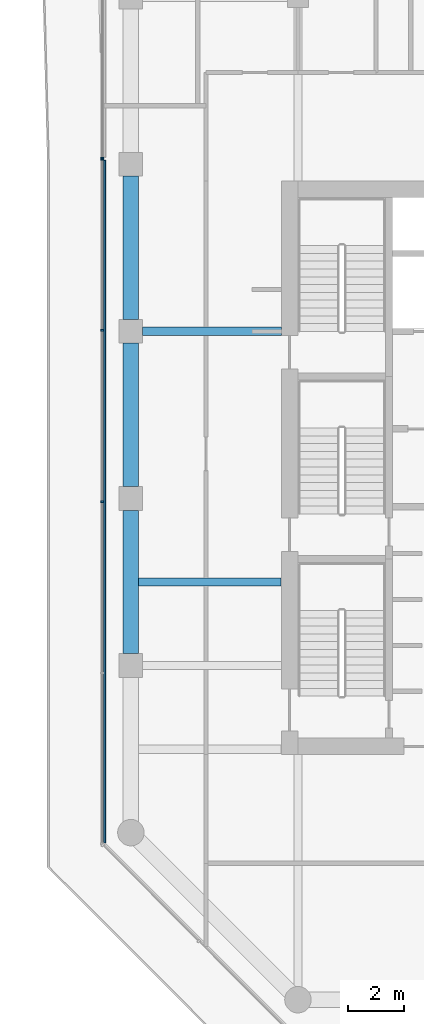
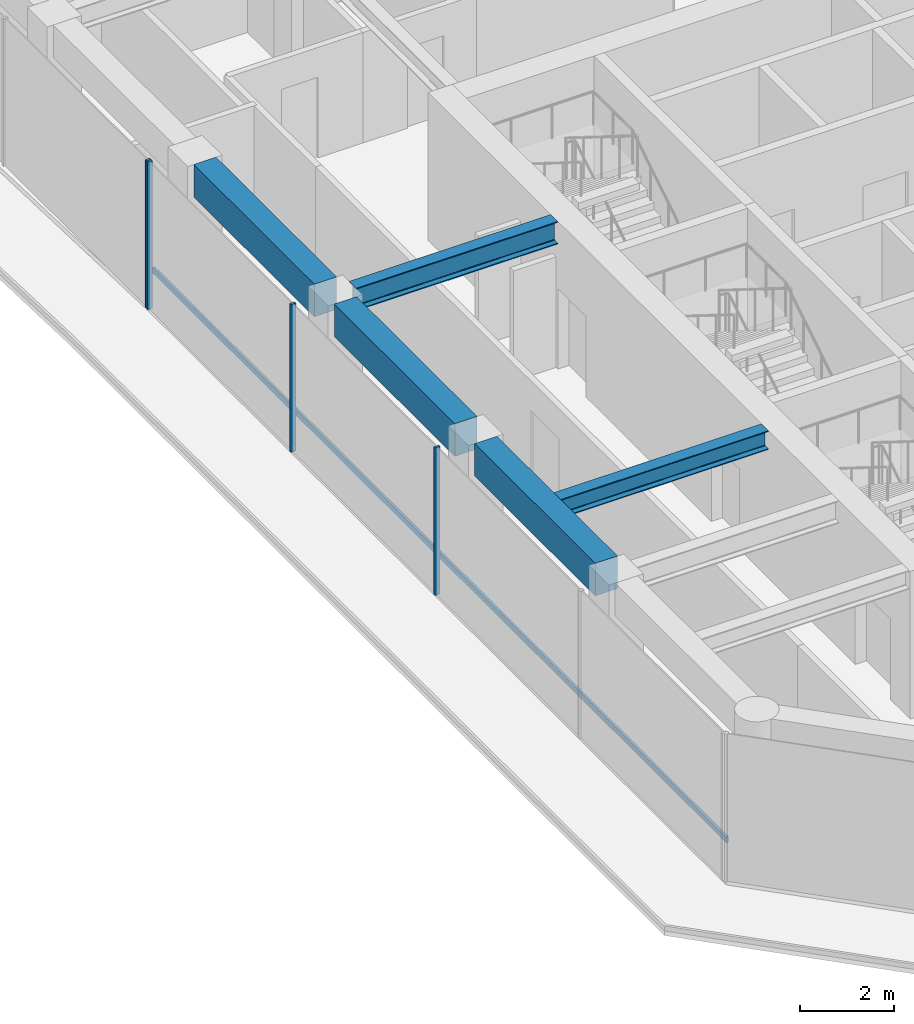
# One storey, part 4 of 20: 5 beams, 5 members, 2 elements without a shape of their own.
"""IFC4 building model written with IfcOpenShell, lengths in metres."""

from ifc_helpers import new_model, si_unit, direction, frame, origin, origin_2d, place, context, subcontext, project, spatial, rectangle, i_section, extrude, material, layer, layer_set, material_profile, profile_set, type_object, element, aggregate, save


model = new_model("IFC4")

# Units and contexts
model_context = context("Model", 3, precision=1e-05, world=origin(), true_north=direction((0.0, 1.0)))
body_context = subcontext(model_context, "Body", "Model", "MODEL_VIEW")
ifc_project = project(units=[si_unit("LENGTHUNIT", "METRE"), si_unit("AREAUNIT", "SQUARE_METRE"), si_unit("VOLUMEUNIT", "CUBIC_METRE"), si_unit("PLANEANGLEUNIT", "RADIAN"), si_unit("MASSUNIT", "GRAM", prefix="KILO")], contexts=[model_context])

# Site, building, storey
site_placement = place(None, origin())
site = spatial("IfcSite", under=ifc_project, at=site_placement, CompositionType="ELEMENT")
building_placement = place(site_placement, origin())
building = spatial("IfcBuilding", under=site, at=building_placement, Name="Welwitschia Terrace Campus", CompositionType="ELEMENT")
storey_placement = place(building_placement, frame((0.0, 0.0, 176.0)))
storey = spatial("IfcBuildingStorey", under=building, at=storey_placement, Name="L39", CompositionType="ELEMENT", Elevation=176.0)

# Beam
ifc_material_1 = material(Name="Steel S355", Category="steel")
ifc_material_profile_1 = material_profile(ifc_material_1, i_section(OverallWidth=0.300048828125, OverallDepth=0.489990234375, WebThickness=0.011962890625, FlangeThickness=0.02294921875, FilletRadius=0.027099609375, at=origin_2d()))
ifc_profile_set_1 = profile_set([ifc_material_profile_1], Name="Steel S355")
beam_type_1 = type_object("IfcBeamType", Name="Interior girder HE 500 A", PredefinedType="BEAM", material=ifc_profile_set_1)
beam_1_placement = place(storey_placement, frame((-0.010009765625, 11.0, 3.60498046875), z_axis=(1.0, 0.0, 0.0), x_axis=(0.0, 1.0, 0.0)))
element("IfcBeam", 1, at=beam_1_placement, inside=storey, type_object=beam_type_1, Name="Girder GB4", PredefinedType="BEAM", context=body_context, shape_type="SweptSolid", body=[
    extrude(i_section(OverallWidth=0.300048828125, OverallDepth=0.489990234375, WebThickness=0.011962890625, FlangeThickness=0.02294921875, FilletRadius=0.027099609375, at=origin_2d()), origin(), (0.0, 0.0, 1.0), 5.408935546875),
])

# Curtain wall, members
ifc_material_2 = material(Name="Bronze anodised aluminium", Category="aluminium")
ifc_layer = layer(ifc_material_2, 0.1201171875)
ifc_layer_set = layer_set([ifc_layer], Name="Bronze anodised aluminium")
curtain_wall_type = type_object("IfcCurtainWallType", Name="Curtain wall CW2 tower 6000", PredefinedType="NOTDEFINED", material=ifc_layer_set)
curtain_wall_1_placement = place(storey_placement, origin())
curtain_wall_1 = element("IfcCurtainWall", 2, at=curtain_wall_1_placement, inside=storey, type_object=curtain_wall_type, Name="CW L39.0.0", PredefinedType="NOTDEFINED")
ifc_material_3 = material(Name="Bronze anodised aluminium", Category="aluminium")
ifc_material_profile_2 = material_profile(ifc_material_3, rectangle(XDim=0.1201171875, YDim=0.06005859375, at=origin_2d()))
ifc_profile_set_2 = profile_set([ifc_material_profile_2], Name="Bronze anodised aluminium")
member_type_1 = type_object("IfcMemberType", Name="Mullion 60x120", PredefinedType="MULLION", material=ifc_profile_set_2)
member_1_placement = place(storey_placement, frame((-1.030029296875, 26.167236328125, 0.0), z_axis=(0.0, 0.0, 1.0), x_axis=(1.0, 0.0, 0.0)))
member_1 = element("IfcMember", 3, at=member_1_placement, type_object=member_type_1, Name="Mullion L39.0.0.0", PredefinedType="MULLION", context=body_context, shape_type="SweptSolid", body=[
    extrude(rectangle(XDim=0.1201171875, YDim=0.06005859375, at=origin_2d()), origin(), (0.0, 0.0, 1.0), 3.85009765625),
])
member_2_placement = place(storey_placement, frame((-1.030029296875, 20.041259765625, 0.0), z_axis=(0.0, 0.0, 1.0), x_axis=(1.0, 0.0, 0.0)))
member_2 = element("IfcMember", 4, at=member_2_placement, type_object=member_type_1, Name="Mullion L39.0.0.1", PredefinedType="MULLION", context=body_context, shape_type="SweptSolid", body=[
    extrude(rectangle(XDim=0.1201171875, YDim=0.06005859375, at=origin_2d()), origin(), (0.0, 0.0, 1.0), 3.85009765625),
])
member_3_placement = place(storey_placement, frame((-1.030029296875, 13.88525390625, 0.0), z_axis=(0.0, 0.0, 1.0), x_axis=(1.0, 0.0, 0.0)))
member_3 = element("IfcMember", 5, at=member_3_placement, type_object=member_type_1, Name="Mullion L39.0.0.2", PredefinedType="MULLION", context=body_context, shape_type="SweptSolid", body=[
    extrude(rectangle(XDim=0.1201171875, YDim=0.06005859375, at=origin_2d()), origin(), (0.0, 0.0, 1.0), 3.85009765625),
])

# Curtain wall, member
curtain_wall_2_placement = place(storey_placement, origin())
curtain_wall_2 = element("IfcCurtainWall", 6, at=curtain_wall_2_placement, inside=storey, type_object=curtain_wall_type, Name="CW L39.12.0", PredefinedType="NOTDEFINED")
member_4_placement = place(storey_placement, frame((-1.030029296875, 26.227294921875, 0.0), z_axis=(0.0, 0.0, 1.0), x_axis=(0.999999815296, -0.000607788744, 0.0)))
member_4 = element("IfcMember", 7, at=member_4_placement, type_object=member_type_1, Name="Mullion L39.12.0.6", PredefinedType="MULLION", context=body_context, shape_type="SweptSolid", body=[
    extrude(rectangle(XDim=0.1201171875, YDim=0.06005859375, at=origin_2d()), origin(), (0.0, 0.0, 1.0), 3.85009765625),
])
aggregate(curtain_wall_2, [member_4])

# Beams
ifc_material_4 = material(Name="Steel S355", Category="steel")
ifc_material_profile_3 = material_profile(ifc_material_4, i_section(OverallWidth=0.300048828125, OverallDepth=0.590087890625, WebThickness=0.012939453125, FlangeThickness=0.02490234375, FilletRadius=0.027099609375, at=origin_2d()))
ifc_profile_set_3 = profile_set([ifc_material_profile_3], Name="Steel S355")
beam_type_2 = type_object("IfcBeamType", Name="Primary beam HE 600 A", PredefinedType="BEAM", material=ifc_profile_set_3)
beam_2_placement = place(storey_placement, frame((0.425537109375, 20.0, 3.554931640625), z_axis=(1.0, 0.0, 0.0), x_axis=(0.0, 1.0, 0.0)))
element("IfcBeam", 8, at=beam_2_placement, inside=storey, type_object=beam_type_2, Name="Primary beam PB4", PredefinedType="BEAM", context=body_context, shape_type="SweptSolid", body=[
    extrude(i_section(OverallWidth=0.300048828125, OverallDepth=0.590087890625, WebThickness=0.012939453125, FlangeThickness=0.02490234375, FilletRadius=0.027099609375, at=origin_2d()), origin(), (0.0, 0.0, 1.0), 4.974365234375),
])
ifc_material_5 = material(Name="Concrete C50/60", Category="concrete")
ifc_material_profile_4 = material_profile(ifc_material_5, rectangle(XDim=0.550048828125, YDim=0.85009765625, at=origin_2d()))
ifc_profile_set_4 = profile_set([ifc_material_profile_4], Name="Concrete C50/60")
beam_type_3 = type_object("IfcBeamType", Name="Ring spandrel 550x850", PredefinedType="SPANDREL", material=ifc_profile_set_4)
for number, where, z_axis, x_axis, name in (
    (9, (0.0, 25.574462890625, 3.425048828125), (0.0, -1.0, 0.0), (1.0, 0.0, 0.0), "Spandrel SP3"),
    (10, (0.0, 19.574462890625, 3.425048828125), (0.0, -1.0, 0.0), (1.0, 0.0, 0.0), "Spandrel SP3"),
    (11, (0.0, 13.574462890625, 3.425048828125), (0.0, -1.0, 0.0), (1.0, 0.0, 0.0), "Spandrel SP3"),
):
    element("IfcBeam", number, at=place(storey_placement, frame(where, z_axis=z_axis, x_axis=x_axis)), inside=storey, type_object=beam_type_3, Name=name, PredefinedType="SPANDREL", context=body_context, shape_type="SweptSolid", body=[
        extrude(rectangle(XDim=0.550048828125, YDim=0.85009765625, at=origin_2d()), origin(), (0.0, 0.0, 1.0), 5.14892578125),
    ])

# Member
ifc_material_6 = material(Name="Bronze anodised aluminium", Category="aluminium")
ifc_material_profile_5 = material_profile(ifc_material_6, rectangle(XDim=0.06005859375, YDim=0.14990234375, at=origin_2d()))
ifc_profile_set_5 = profile_set([ifc_material_profile_5], Name="Bronze anodised aluminium")
member_type_2 = type_object("IfcMemberType", Name="Transom 60x150", PredefinedType="USERDEFINED", material=ifc_profile_set_5)
member_5_placement = place(storey_placement, frame((-0.93994140625, 26.13720703125, 1.0), z_axis=(0.0, -1.0, 0.0), x_axis=(1.0, 0.0, 0.0)))
member_5 = element("IfcMember", 12, at=member_5_placement, type_object=member_type_2, Name="Transom L39.0.0", ObjectType="TRANSOM", PredefinedType="USERDEFINED", context=body_context, shape_type="SweptSolid", body=[
    extrude(rectangle(XDim=0.06005859375, YDim=0.14990234375, at=origin_2d()), origin(), (0.0, 0.0, 1.0), 24.50390625),
])

aggregate(curtain_wall_1, [member_1, member_2, member_3, member_5])

save(model, "model.ifc")
